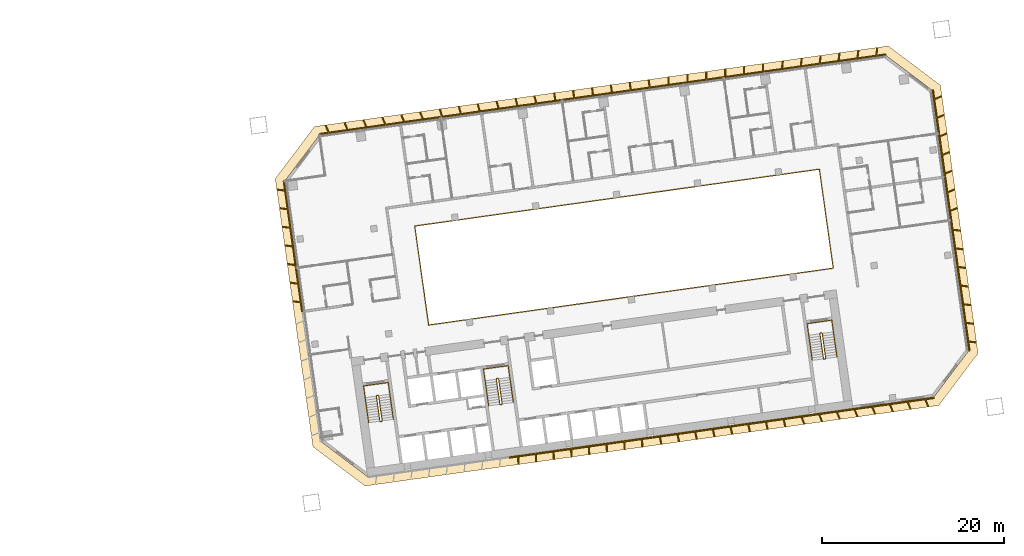
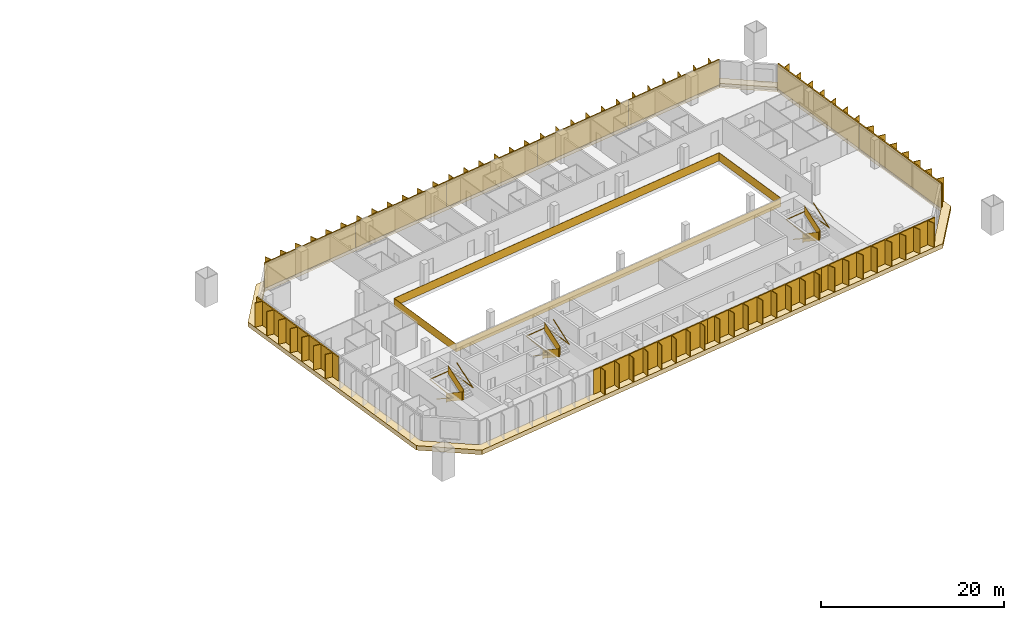
# One storey, part 25 of 25: 11 shading devices, 7 railings, 1 covering.
"""IFC4 building model written with IfcOpenShell, lengths in metres."""

from ifc_helpers import new_model, si_unit, direction, frame, origin, origin_2d, place, context, subcontext, project, spatial, polyline, rectangle, outline, extrude, material, layer, layer_set, type_object, element, save


model = new_model("IFC4")

# Units and contexts
model_context = context("Model", 3, precision=1e-05, world=origin(), true_north=direction((0.0, 1.0)))
body_context = subcontext(model_context, "Body", "Model", "MODEL_VIEW")
ifc_project = project(units=[si_unit("LENGTHUNIT", "METRE"), si_unit("AREAUNIT", "SQUARE_METRE"), si_unit("VOLUMEUNIT", "CUBIC_METRE"), si_unit("PLANEANGLEUNIT", "RADIAN"), si_unit("MASSUNIT", "GRAM", prefix="KILO")], contexts=[model_context])

# Site, building, storey
site_placement = place(None, origin())
site = spatial("IfcSite", under=ifc_project, at=site_placement, CompositionType="ELEMENT")
building_placement = place(site_placement, origin())
building = spatial("IfcBuilding", under=site, at=building_placement, Name="Mirante Cascada Hotel Towers", CompositionType="ELEMENT")
storey_placement = place(building_placement, frame((0.0, 0.0, 58.5)))
storey = spatial("IfcBuildingStorey", under=building, at=storey_placement, Name="L11", CompositionType="ELEMENT", Elevation=58.5)

# Railing
ifc_material_1 = material(Name="Toughened glass with stainless steel handrail", Category="steel")
railing_type_1 = type_object("IfcRailingType", Name="Atrium guard 1100 glass balustrade", PredefinedType="GUARDRAIL", material=ifc_material_1)
railing_1_placement = place(storey_placement, frame((43.8418, -3.4881, 0.0)))
element("IfcRailing", 1, at=railing_1_placement, inside=storey, type_object=railing_type_1, Name="GUARD 2-L11-1", PredefinedType="GUARDRAIL", context=body_context, shape_type="SweptSolid", body=[
    extrude(rectangle(XDim=0.048, YDim=0.048, at=origin_2d()), frame((0.0, 0.0, 1.076), z_axis=(0.9902681, 0.1391732, 0.0), x_axis=(-0.1391732, 0.9902681, 0.0)), (0.0, 0.0, 1.0), 45.0),
    extrude(rectangle(XDim=0.02, YDim=1.052, at=origin_2d()), frame((0.0, 0.0, 0.526), z_axis=(0.9902681, 0.1391732, 0.0), x_axis=(-0.1391732, 0.9902681, 0.0)), (0.0, 0.0, 1.0), 45.0),
    extrude(rectangle(XDim=0.048, YDim=0.048, at=origin_2d()), frame((44.5621, 6.2628, 1.076), z_axis=(-0.1391721, 0.9902682, 0.0), x_axis=(-0.9902682, -0.1391721, 0.0)), (0.0, 0.0, 1.0), 11.0001),
    extrude(rectangle(XDim=0.02, YDim=1.052, at=origin_2d()), frame((44.5621, 6.2628, 0.526), z_axis=(-0.1391721, 0.9902682, 0.0), x_axis=(-0.9902682, -0.1391721, 0.0)), (0.0, 0.0, 1.0), 11.0001),
    extrude(rectangle(XDim=0.048, YDim=0.048, at=origin_2d()), frame((43.0312, 17.1558, 1.076), z_axis=(-0.9902681, -0.1391732, 0.0), x_axis=(0.1391732, -0.9902681, 0.0)), (0.0, 0.0, 1.0), 45.0),
    extrude(rectangle(XDim=0.02, YDim=1.052, at=origin_2d()), frame((43.0312, 17.1558, 0.526), z_axis=(-0.9902681, -0.1391732, 0.0), x_axis=(0.1391732, -0.9902681, 0.0)), (0.0, 0.0, 1.0), 45.0),
    extrude(rectangle(XDim=0.048, YDim=0.048, at=origin_2d()), frame((-1.5309, 10.893, 1.076), z_axis=(0.1391721, -0.9902682, 0.0), x_axis=(0.9902682, 0.1391721, 0.0)), (0.0, 0.0, 1.0), 11.0001),
    extrude(rectangle(XDim=0.02, YDim=1.052, at=origin_2d()), frame((-1.5309, 10.893, 0.526), z_axis=(0.1391721, -0.9902682, 0.0), x_axis=(0.9902682, 0.1391721, 0.0)), (0.0, 0.0, 1.0), 11.0001),
])

# Covering
ifc_material_2 = material(Name="Precast concrete C40/50 white", Category="concrete")
ifc_layer = layer(ifc_material_2, 0.6)
ifc_layer_set = layer_set([ifc_layer], Name="Precast concrete SUNSHADE band 1000x600")
covering_type = type_object("IfcCoveringType", Name="Precast concrete SUNSHADE band 1000x600", PredefinedType="CLADDING", material=ifc_layer_set)
covering_placement = place(storey_placement, frame((0.0, 0.0, -0.45)))
element("IfcCovering", 2, at=covering_placement, inside=storey, type_object=covering_type, Name="Precast concrete SUNSHADE band T2 L11", PredefinedType="CLADDING", context=body_context, shape_type="SweptSolid", body=[
    extrude(outline(polyline([(26.9341, 12.6299), (31.2626, 18.374), (94.4698, 27.2572), (100.2139, 22.9287), (104.3652, -6.6094), (100.0367, -12.3535), (36.8295, -21.2367), (31.0854, -16.9082), (26.9341, 12.6299)]), holes=[polyline([(103.3173, -6.3384), (99.2813, 22.3794), (94.1988, 26.2093), (31.8119, 17.4414), (27.982, 12.3589), (32.018, -16.3589), (37.1005, -20.1888), (99.4874, -11.4209), (103.3173, -6.3384)])]), origin(), (0.0, 0.0, 1.0), 0.6),
])

# Railings
ifc_material_3 = material(Name="Painted steel", Category="steel")
railing_type_2 = type_object("IfcRailingType", Name="Stair guard 1100 steel balustrade", PredefinedType="GUARDRAIL", material=ifc_material_3)
railing_2_placement = place(storey_placement, frame((38.2663, -11.2395, 0.0)))
element("IfcRailing", 3, at=railing_2_placement, inside=storey, type_object=railing_type_2, Name="L11 ST2-A stair guard 1", PredefinedType="GUARDRAIL", context=body_context, shape_type="SweptSolid", body=[
    extrude(rectangle(XDim=0.048, YDim=0.048, at=origin_2d()), frame((0.0, 0.0, 1.076), z_axis=(-0.9903326, -0.1387133, 0.0), x_axis=(0.1387133, -0.9903326, 0.0)), (0.0, 0.0, 1.0), 0.1499),
    extrude(rectangle(XDim=0.02, YDim=1.052, at=origin_2d()), frame((0.0, 0.0, 0.526), z_axis=(-0.9903326, -0.1387133, 0.0), x_axis=(0.1387133, -0.9903326, 0.0)), (0.0, 0.0, 1.0), 0.1499),
    extrude(rectangle(XDim=0.048, YDim=0.048, at=origin_2d()), frame((-0.1485, -0.0208, 1.076), z_axis=(-0.6020331, -0.7984711, 0.0), x_axis=(0.7984711, -0.6020331, 0.0)), (0.0, 0.9253398, 0.3791387), 0.1866),
    extrude(rectangle(XDim=0.02, YDim=1.052, at=origin_2d()), frame((-0.1485, -0.0208, 0.526), z_axis=(-0.6020331, -0.7984711, 0.0), x_axis=(0.7984711, -0.6020331, 0.0)), (0.0, 0.9253398, 0.3791387), 0.1866),
    extrude(rectangle(XDim=0.048, YDim=0.048, at=origin_2d()), frame((-0.1911, -0.0773, 1.2487), z_axis=(0.139176, -0.9902677, 0.0), x_axis=(0.9902677, 0.139176, 0.0)), (0.0, 0.5250212, 0.8510891), 3.29),
    extrude(rectangle(XDim=0.02, YDim=1.052, at=origin_2d()), frame((-0.1911, -0.0773, 0.6987), z_axis=(0.139176, -0.9902677, 0.0), x_axis=(0.9902677, 0.139176, 0.0)), (0.0, 0.5250212, 0.8510891), 3.29),
    extrude(rectangle(XDim=0.048, YDim=0.048, at=origin_2d()), frame((0.1986, -2.8501, 2.976), z_axis=(0.9944948, -0.1047858, 0.0), x_axis=(0.1047858, 0.9944948, 0.0)), (0.0, 0.0, 1.0), 0.2061),
    extrude(rectangle(XDim=0.02, YDim=1.052, at=origin_2d()), frame((0.1986, -2.8501, 2.426), z_axis=(0.9944948, -0.1047858, 0.0), x_axis=(0.1047858, 0.9944948, 0.0)), (0.0, 0.0, 1.0), 0.2061),
    extrude(rectangle(XDim=0.048, YDim=0.048, at=origin_2d()), frame((0.4036, -2.8717, 2.976), z_axis=(-0.9902408, -0.1393672, 0.0), x_axis=(0.1393672, -0.9902408, 0.0)), (0.0, 0.0, 1.0), 0.15),
    extrude(rectangle(XDim=0.02, YDim=1.052, at=origin_2d()), frame((0.4036, -2.8717, 2.426), z_axis=(-0.9902408, -0.1393672, 0.0), x_axis=(0.1393672, -0.9902408, 0.0)), (0.0, 0.0, 1.0), 0.15),
    extrude(rectangle(XDim=0.048, YDim=0.048, at=origin_2d()), frame((0.2551, -2.8926, 2.976), z_axis=(0.9270311, 0.3749843, 0.0), x_axis=(-0.3749843, 0.9270311, 0.0)), (0.0, 0.6421903, 0.7665452), 0.2689),
    extrude(rectangle(XDim=0.02, YDim=1.052, at=origin_2d()), frame((0.2551, -2.8926, 2.426), z_axis=(0.9270311, 0.3749843, 0.0), x_axis=(-0.3749843, 0.9270311, 0.0)), (0.0, 0.6421903, 0.7665452), 0.2689),
    extrude(rectangle(XDim=0.048, YDim=0.048, at=origin_2d()), frame((0.4462, -2.8153, 3.1487), z_axis=(-0.139176, 0.9902677, 0.0), x_axis=(-0.9902677, -0.139176, 0.0)), (0.0, 0.5250212, 0.8510891), 3.29),
    extrude(rectangle(XDim=0.02, YDim=1.052, at=origin_2d()), frame((0.4462, -2.8153, 2.5987), z_axis=(-0.139176, 0.9902677, 0.0), x_axis=(-0.9902677, -0.139176, 0.0)), (0.0, 0.5250212, 0.8510891), 3.29),
])
railing_3_placement = place(storey_placement, frame((51.4864, -9.3815, 0.0)))
element("IfcRailing", 4, at=railing_3_placement, inside=storey, type_object=railing_type_2, Name="L11 ST2-B stair guard 1", PredefinedType="GUARDRAIL", context=body_context, shape_type="SweptSolid", body=[
    extrude(rectangle(XDim=0.048, YDim=0.048, at=origin_2d()), frame((0.0, 0.0, 1.076), z_axis=(-0.9902408, -0.1393672, 0.0), x_axis=(0.1393672, -0.9902408, 0.0)), (0.0, 0.0, 1.0), 0.15),
    extrude(rectangle(XDim=0.02, YDim=1.052, at=origin_2d()), frame((0.0, 0.0, 0.526), z_axis=(-0.9902408, -0.1393672, 0.0), x_axis=(0.1393672, -0.9902408, 0.0)), (0.0, 0.0, 1.0), 0.15),
    extrude(rectangle(XDim=0.048, YDim=0.048, at=origin_2d()), frame((-0.1485, -0.0209, 1.076), z_axis=(-0.6020331, -0.7984711, 0.0), x_axis=(0.7984711, -0.6020331, 0.0)), (0.0, 0.9253398, 0.3791387), 0.1866),
    extrude(rectangle(XDim=0.02, YDim=1.052, at=origin_2d()), frame((-0.1485, -0.0209, 0.526), z_axis=(-0.6020331, -0.7984711, 0.0), x_axis=(0.7984711, -0.6020331, 0.0)), (0.0, 0.9253398, 0.3791387), 0.1866),
    extrude(rectangle(XDim=0.048, YDim=0.048, at=origin_2d()), frame((-0.1911, -0.0774, 1.2487), z_axis=(0.139181, -0.990267, 0.0), x_axis=(0.990267, 0.139181, 0.0)), (0.0, 0.5250347, 0.8510808), 3.2899),
    extrude(rectangle(XDim=0.02, YDim=1.052, at=origin_2d()), frame((-0.1911, -0.0774, 0.6987), z_axis=(0.139181, -0.990267, 0.0), x_axis=(0.990267, 0.139181, 0.0)), (0.0, 0.5250347, 0.8510808), 3.2899),
    extrude(rectangle(XDim=0.048, YDim=0.048, at=origin_2d()), frame((0.1986, -2.8501, 2.976), z_axis=(0.9944441, -0.1052656, 0.0), x_axis=(0.1052656, 0.9944441, 0.0)), (0.0, 0.0, 1.0), 0.2061),
    extrude(rectangle(XDim=0.02, YDim=1.052, at=origin_2d()), frame((0.1986, -2.8501, 2.426), z_axis=(0.9944441, -0.1052656, 0.0), x_axis=(0.1052656, 0.9944441, 0.0)), (0.0, 0.0, 1.0), 0.2061),
    extrude(rectangle(XDim=0.048, YDim=0.048, at=origin_2d()), frame((0.4036, -2.8718, 2.976), z_axis=(-0.9902408, -0.1393672, 0.0), x_axis=(0.1393672, -0.9902408, 0.0)), (0.0, 0.0, 1.0), 0.15),
    extrude(rectangle(XDim=0.02, YDim=1.052, at=origin_2d()), frame((0.4036, -2.8718, 2.426), z_axis=(-0.9902408, -0.1393672, 0.0), x_axis=(0.1393672, -0.9902408, 0.0)), (0.0, 0.0, 1.0), 0.15),
    extrude(rectangle(XDim=0.048, YDim=0.048, at=origin_2d()), frame((0.2551, -2.8927, 2.976), z_axis=(0.9268624, 0.3754011, 0.0), x_axis=(-0.3754011, 0.9268624, 0.0)), (0.0, 0.6421217, 0.7666028), 0.269),
    extrude(rectangle(XDim=0.02, YDim=1.052, at=origin_2d()), frame((0.2551, -2.8927, 2.426), z_axis=(0.9268624, 0.3754011, 0.0), x_axis=(-0.3754011, 0.9268624, 0.0)), (0.0, 0.6421217, 0.7666028), 0.269),
    extrude(rectangle(XDim=0.048, YDim=0.048, at=origin_2d()), frame((0.4462, -2.8153, 3.1487), z_axis=(-0.139181, 0.990267, 0.0), x_axis=(-0.990267, -0.139181, 0.0)), (0.0, 0.5250347, 0.8510808), 3.2899),
    extrude(rectangle(XDim=0.02, YDim=1.052, at=origin_2d()), frame((0.4462, -2.8153, 2.5987), z_axis=(-0.139181, 0.990267, 0.0), x_axis=(-0.990267, -0.139181, 0.0)), (0.0, 0.5250347, 0.8510808), 3.2899),
])
railing_4_placement = place(storey_placement, frame((87.1361, -4.3713, 0.0)))
element("IfcRailing", 5, at=railing_4_placement, inside=storey, type_object=railing_type_2, Name="L11 ST2-C stair guard 1", PredefinedType="GUARDRAIL", context=body_context, shape_type="SweptSolid", body=[
    extrude(rectangle(XDim=0.048, YDim=0.048, at=origin_2d()), frame((0.0, 0.0, 1.076), z_axis=(-0.9902537, -0.1392753, 0.0), x_axis=(0.1392753, -0.9902537, 0.0)), (0.0, 0.0, 1.0), 0.1501),
    extrude(rectangle(XDim=0.02, YDim=1.052, at=origin_2d()), frame((0.0, 0.0, 0.526), z_axis=(-0.9902537, -0.1392753, 0.0), x_axis=(0.1392753, -0.9902537, 0.0)), (0.0, 0.0, 1.0), 0.1501),
    extrude(rectangle(XDim=0.048, YDim=0.048, at=origin_2d()), frame((-0.1486, -0.0209, 1.076), z_axis=(-0.601811, -0.7986386, 0.0), x_axis=(0.7986386, -0.601811, 0.0)), (0.0, 0.925603, 0.3784959), 0.1866),
    extrude(rectangle(XDim=0.02, YDim=1.052, at=origin_2d()), frame((-0.1486, -0.0209, 0.526), z_axis=(-0.601811, -0.7986386, 0.0), x_axis=(0.7986386, -0.601811, 0.0)), (0.0, 0.925603, 0.3784959), 0.1866),
    extrude(rectangle(XDim=0.048, YDim=0.048, at=origin_2d()), frame((-0.1911, -0.0773, 1.2487), z_axis=(0.139176, -0.9902677, 0.0), x_axis=(0.9902677, 0.139176, 0.0)), (0.0, 0.5250212, 0.8510891), 3.29),
    extrude(rectangle(XDim=0.02, YDim=1.052, at=origin_2d()), frame((-0.1911, -0.0773, 0.6987), z_axis=(0.139176, -0.9902677, 0.0), x_axis=(0.9902677, 0.139176, 0.0)), (0.0, 0.5250212, 0.8510891), 3.29),
    extrude(rectangle(XDim=0.048, YDim=0.048, at=origin_2d()), frame((0.1986, -2.8501, 2.976), z_axis=(0.9944441, -0.1052656, 0.0), x_axis=(0.1052656, 0.9944441, 0.0)), (0.0, 0.0, 1.0), 0.2061),
    extrude(rectangle(XDim=0.02, YDim=1.052, at=origin_2d()), frame((0.1986, -2.8501, 2.426), z_axis=(0.9944441, -0.1052656, 0.0), x_axis=(0.1052656, 0.9944441, 0.0)), (0.0, 0.0, 1.0), 0.2061),
    extrude(rectangle(XDim=0.048, YDim=0.048, at=origin_2d()), frame((0.4036, -2.8718, 2.976), z_axis=(-0.9903454, -0.1386217, 0.0), x_axis=(0.1386217, -0.9903454, 0.0)), (0.0, 0.0, 1.0), 0.15),
    extrude(rectangle(XDim=0.02, YDim=1.052, at=origin_2d()), frame((0.4036, -2.8718, 2.426), z_axis=(-0.9903454, -0.1386217, 0.0), x_axis=(0.1386217, -0.9903454, 0.0)), (0.0, 0.0, 1.0), 0.15),
    extrude(rectangle(XDim=0.048, YDim=0.048, at=origin_2d()), frame((0.255, -2.8926, 2.976), z_axis=(0.9270311, 0.3749843, 0.0), x_axis=(-0.3749843, 0.9270311, 0.0)), (0.0, 0.6421903, 0.7665452), 0.2689),
    extrude(rectangle(XDim=0.02, YDim=1.052, at=origin_2d()), frame((0.255, -2.8926, 2.426), z_axis=(0.9270311, 0.3749843, 0.0), x_axis=(-0.3749843, 0.9270311, 0.0)), (0.0, 0.6421903, 0.7665452), 0.2689),
    extrude(rectangle(XDim=0.048, YDim=0.048, at=origin_2d()), frame((0.4461, -2.8153, 3.1487), z_axis=(-0.139176, 0.9902677, 0.0), x_axis=(-0.9902677, -0.139176, 0.0)), (0.0, 0.5250212, 0.8510891), 3.29),
    extrude(rectangle(XDim=0.02, YDim=1.052, at=origin_2d()), frame((0.4461, -2.8153, 2.5987), z_axis=(-0.139176, 0.9902677, 0.0), x_axis=(-0.9902677, -0.139176, 0.0)), (0.0, 0.5250212, 0.8510891), 3.29),
])
ifc_material_4 = material(Name="Painted steel", Category="steel")
railing_type_3 = type_object("IfcRailingType", Name="Stair handrail 900 steel tube", PredefinedType="HANDRAIL", material=ifc_material_4)
railing_5_placement = place(storey_placement, frame((36.8374, -11.4908, 0.1727)))
element("IfcRailing", 6, at=railing_5_placement, inside=storey, type_object=railing_type_3, Name="L11 ST2-A stair handrail 1", PredefinedType="HANDRAIL", context=body_context, shape_type="SweptSolid", body=[
    extrude(rectangle(XDim=0.048, YDim=0.048, at=origin_2d()), frame((0.0, 0.0, 0.876), z_axis=(0.139181, -0.990267, 0.0), x_axis=(0.990267, 0.139181, 0.0)), (0.0, 0.5250347, 0.8510808), 3.2899),
    extrude(rectangle(XDim=0.048, YDim=0.048, at=origin_2d()), frame((0.3897, -2.7727, 2.6033), z_axis=(-0.1391707, 0.9902684, 0.0), x_axis=(-0.9902684, -0.1391707, 0.0)), (0.0, 0.0420846, 0.999114), 4.1036),
    extrude(rectangle(XDim=0.048, YDim=0.048, at=origin_2d()), frame((-0.1809, 1.2874, 2.776), z_axis=(0.9902691, 0.1391657, 0.0), x_axis=(-0.1391657, 0.9902691, 0.0)), (0.0, 0.0, 1.0), 2.75),
    extrude(rectangle(XDim=0.048, YDim=0.048, at=origin_2d()), frame((2.5423, 1.6701, 2.776), z_axis=(0.1391707, -0.9902684, 0.0), x_axis=(0.9902684, 0.1391707, 0.0)), (0.0, 0.0, 1.0), 4.1),
    extrude(rectangle(XDim=0.048, YDim=0.048, at=origin_2d()), frame((3.1129, -2.39, 2.776), z_axis=(-0.139181, 0.990267, 0.0), x_axis=(-0.990267, -0.139181, 0.0)), (0.0, 0.5250347, 0.8510808), 3.2899),
])
railing_6_placement = place(storey_placement, frame((50.0575, -9.6328, 0.1727)))
element("IfcRailing", 7, at=railing_6_placement, inside=storey, type_object=railing_type_3, Name="L11 ST2-B stair handrail 1", PredefinedType="HANDRAIL", context=body_context, shape_type="SweptSolid", body=[
    extrude(rectangle(XDim=0.048, YDim=0.048, at=origin_2d()), frame((0.0, 0.0, 0.876), z_axis=(0.139176, -0.9902677, 0.0), x_axis=(0.9902677, 0.139176, 0.0)), (0.0, 0.5250212, 0.8510891), 3.29),
    extrude(rectangle(XDim=0.048, YDim=0.048, at=origin_2d()), frame((0.3897, -2.7728, 2.6033), z_axis=(-0.1391707, 0.9902684, 0.0), x_axis=(-0.9902684, -0.1391707, 0.0)), (0.0, 0.0420846, 0.999114), 4.1036),
    extrude(rectangle(XDim=0.048, YDim=0.048, at=origin_2d()), frame((-0.1809, 1.2873, 2.776), z_axis=(0.9902641, 0.1392013, 0.0), x_axis=(-0.1392013, 0.9902641, 0.0)), (0.0, 0.0, 1.0), 2.75),
    extrude(rectangle(XDim=0.048, YDim=0.048, at=origin_2d()), frame((2.5423, 1.6701, 2.776), z_axis=(0.1391707, -0.9902684, 0.0), x_axis=(0.9902684, 0.1391707, 0.0)), (0.0, 0.0, 1.0), 4.1),
    extrude(rectangle(XDim=0.048, YDim=0.048, at=origin_2d()), frame((3.1129, -2.39, 2.776), z_axis=(-0.139181, 0.990267, 0.0), x_axis=(-0.990267, -0.139181, 0.0)), (0.0, 0.5250347, 0.8510808), 3.2899),
])
railing_7_placement = place(storey_placement, frame((85.7071, -4.6226, 0.1727)))
element("IfcRailing", 8, at=railing_7_placement, inside=storey, type_object=railing_type_3, Name="L11 ST2-C stair handrail 1", PredefinedType="HANDRAIL", context=body_context, shape_type="SweptSolid", body=[
    extrude(rectangle(XDim=0.048, YDim=0.048, at=origin_2d()), frame((0.0, 0.0, 0.876), z_axis=(0.139181, -0.990267, 0.0), x_axis=(0.990267, 0.139181, 0.0)), (0.0, 0.5250347, 0.8510808), 3.2899),
    extrude(rectangle(XDim=0.048, YDim=0.048, at=origin_2d()), frame((0.3897, -2.7727, 2.6033), z_axis=(-0.1391707, 0.9902684, 0.0), x_axis=(-0.9902684, -0.1391707, 0.0)), (0.0, 0.0420846, 0.999114), 4.1036),
    extrude(rectangle(XDim=0.048, YDim=0.048, at=origin_2d()), frame((-0.1809, 1.2874, 2.776), z_axis=(0.9902691, 0.1391657, 0.0), x_axis=(-0.1391657, 0.9902691, 0.0)), (0.0, 0.0, 1.0), 2.75),
    extrude(rectangle(XDim=0.048, YDim=0.048, at=origin_2d()), frame((2.5423, 1.6701, 2.776), z_axis=(0.1391947, -0.990265, 0.0), x_axis=(0.990265, 0.1391947, 0.0)), (0.0, 0.0, 1.0), 4.1),
    extrude(rectangle(XDim=0.048, YDim=0.048, at=origin_2d()), frame((3.113, -2.39, 2.776), z_axis=(-0.139181, 0.990267, 0.0), x_axis=(-0.990267, -0.139181, 0.0)), (0.0, 0.5250347, 0.8510808), 3.2899),
])

# Shading devices
ifc_material_5 = material(Name="White precast concrete C50/60 fin", Category="concrete")
shading_device_type = type_object("IfcShadingDeviceType", Name="Vertical fin set 4500x900", PredefinedType="USERDEFINED", material=ifc_material_5)
shading_device_1_placement = place(storey_placement, origin())
element("IfcShadingDevice", 9, at=shading_device_1_placement, inside=storey, type_object=shading_device_type, Name="FIN T2 L11 front 1", ObjectType="FIN", PredefinedType="USERDEFINED", context=body_context, shape_type="SweptSolid", body=[
    extrude(outline(polyline([(82.8967, 25.5893), (82.7946, 24.758), (84.7922, 25.0387), (84.8968, 25.8913), (84.9762, 25.8815), (84.8742, 25.0503), (86.8717, 25.331), (86.9764, 26.1835), (87.0558, 26.1738), (86.9537, 25.3425), (88.9513, 25.6233), (89.056, 26.4758), (89.1354, 26.4661), (89.0333, 25.6348), (91.0308, 25.9155), (91.1355, 26.7681), (91.2149, 26.7583), (91.1129, 25.9271), (93.1104, 26.2078), (93.2151, 27.0603), (93.2945, 27.0506), (93.1924, 26.2193), (94.1779, 26.3578), (94.1988, 26.2093), (81.7214, 24.4557), (81.7006, 24.6042), (82.7126, 24.7465), (82.8173, 25.599), (82.8967, 25.5893)])), origin(), (0.0, 0.0, 1.0), 3.35),
])
shading_device_2_placement = place(storey_placement, origin())
element("IfcShadingDevice", 10, at=shading_device_2_placement, inside=storey, type_object=shading_device_type, Name="FIN T2 L11 front 2", ObjectType="FIN", PredefinedType="USERDEFINED", context=body_context, shape_type="SweptSolid", body=[
    extrude(outline(polyline([(70.3021, 23.8476), (70.3094, 23.0033), (72.3091, 23.2844), (72.3016, 24.1392), (72.3816, 24.1399), (72.389, 23.2956), (74.3886, 23.5766), (74.3812, 24.4314), (74.4612, 24.4321), (74.4686, 23.5878), (76.4682, 23.8689), (76.4608, 24.7237), (76.5407, 24.7244), (76.5481, 23.8801), (78.5478, 24.1611), (78.5403, 25.0159), (78.6203, 25.0166), (78.6277, 24.1724), (80.6273, 24.4534), (80.6199, 25.3082), (80.6999, 25.3089), (80.7072, 24.4646), (81.7006, 24.6042), (81.7214, 24.4557), (69.2441, 22.7021), (69.2232, 22.8507), (70.2295, 22.9921), (70.2221, 23.8469), (70.3021, 23.8476)])), origin(), (0.0, 0.0, 1.0), 3.35),
])
shading_device_3_placement = place(storey_placement, origin())
element("IfcShadingDevice", 11, at=shading_device_3_placement, inside=storey, type_object=shading_device_type, Name="FIN T2 L11 front 3", ObjectType="FIN", PredefinedType="USERDEFINED", context=body_context, shape_type="SweptSolid", body=[
    extrude(outline(polyline([(57.7069, 22.0905), (57.8252, 21.2488), (59.8255, 21.5299), (59.7072, 22.3716), (59.7865, 22.3828), (59.9048, 21.541), (61.9051, 21.8222), (61.7868, 22.6639), (61.866, 22.675), (61.9843, 21.8333), (63.9847, 22.1144), (63.8664, 22.9562), (63.9456, 22.9673), (64.0639, 22.1256), (66.0642, 22.4067), (65.9459, 23.2484), (66.0251, 23.2596), (66.1434, 22.4178), (68.1438, 22.699), (68.0255, 23.5407), (68.1047, 23.5518), (68.223, 22.7101), (69.2232, 22.8507), (69.2441, 22.7021), (56.7667, 20.9485), (56.7458, 21.0971), (57.746, 21.2376), (57.6277, 22.0794), (57.7069, 22.0905)])), origin(), (0.0, 0.0, 1.0), 3.35),
])
shading_device_4_placement = place(storey_placement, origin())
element("IfcShadingDevice", 12, at=shading_device_4_placement, inside=storey, type_object=shading_device_type, Name="FIN T2 L11 front 4", ObjectType="FIN", PredefinedType="USERDEFINED", context=body_context, shape_type="SweptSolid", body=[
    extrude(outline(polyline([(45.1132, 20.3181), (45.3416, 19.4943), (47.3413, 19.7754), (47.1157, 20.589), (47.1928, 20.6103), (47.4212, 19.7866), (49.4209, 20.0676), (49.1952, 20.8812), (49.2723, 20.9026), (49.5008, 20.0789), (51.5004, 20.3599), (51.2748, 21.1735), (51.3519, 21.1949), (51.5803, 20.3711), (53.58, 20.6521), (53.3544, 21.4657), (53.4314, 21.4871), (53.6599, 20.6634), (55.6595, 20.9444), (55.4339, 21.758), (55.511, 21.7794), (55.7394, 20.9556), (56.7458, 21.0971), (56.7667, 20.9485), (44.2893, 19.195), (44.2684, 19.3435), (45.2617, 19.4831), (45.0361, 20.2967), (45.1132, 20.3181)])), origin(), (0.0, 0.0, 1.0), 3.35),
])
shading_device_5_placement = place(storey_placement, origin())
element("IfcShadingDevice", 13, at=shading_device_5_placement, inside=storey, type_object=shading_device_type, Name="FIN T2 L11 front 5", ObjectType="FIN", PredefinedType="USERDEFINED", context=body_context, shape_type="SweptSolid", body=[
    extrude(outline(polyline([(32.5229, 18.5306), (32.8586, 17.7399), (34.8561, 18.0207), (34.5289, 18.7916), (34.6025, 18.8229), (34.9381, 18.0322), (36.9357, 18.3129), (36.6084, 19.0839), (36.6821, 19.1151), (37.0177, 18.3245), (39.0152, 18.6052), (38.688, 19.3761), (38.7616, 19.4074), (39.0973, 18.6167), (41.0948, 18.8975), (40.7676, 19.6684), (40.8412, 19.6997), (41.1768, 18.909), (43.1744, 19.1897), (42.8471, 19.9607), (42.9208, 19.9919), (43.2564, 19.2013), (44.2684, 19.3435), (44.2893, 19.195), (31.8119, 17.4414), (31.791, 17.5899), (32.7765, 17.7284), (32.4493, 18.4994), (32.5229, 18.5306)])), origin(), (0.0, 0.0, 1.0), 3.35),
])
shading_device_6_placement = place(storey_placement, origin())
element("IfcShadingDevice", 14, at=shading_device_6_placement, inside=storey, type_object=shading_device_type, Name="FIN T2 L11 inner 1", ObjectType="FIN", PredefinedType="USERDEFINED", context=body_context, shape_type="SweptSolid", body=[
    extrude(outline(polyline([(28.8684, -0.8389), (29.6997, -0.941), (29.4229, 1.0283), (28.5704, 1.133), (28.5801, 1.2124), (29.4114, 1.1103), (29.1346, 3.0796), (28.2821, 3.1842), (28.2918, 3.2636), (29.1231, 3.1616), (28.8464, 5.1308), (27.9938, 5.2355), (28.0036, 5.3149), (28.8348, 5.2128), (28.5581, 7.1821), (27.7055, 7.2868), (27.7153, 7.3662), (28.5465, 7.2641), (28.2698, 9.2334), (27.4172, 9.338), (27.427, 9.4174), (28.2583, 9.3154), (27.9815, 11.2846), (27.1289, 11.3893), (27.1387, 11.4687), (27.97, 11.3667), (27.8334, 12.338), (27.982, 12.3589), (30.0, -2.0), (29.8515, -2.0209), (29.7112, -1.023), (28.8587, -0.9183), (28.8684, -0.8389)])), origin(), (0.0, 0.0, 1.0), 3.35),
])
shading_device_7_placement = place(storey_placement, origin())
element("IfcShadingDevice", 15, at=shading_device_7_placement, inside=storey, type_object=shading_device_type, Name="FIN T2 L11 outer 1", ObjectType="FIN", PredefinedType="USERDEFINED", context=body_context, shape_type="SweptSolid", body=[
    extrude(outline(polyline([(104.1606, -5.4483), (103.3293, -5.3462), (103.4659, -6.3175), (103.3173, -6.3384), (101.2993, 8.0205), (101.4478, 8.0413), (101.5881, 7.0434), (102.4406, 6.9388), (102.4309, 6.8594), (101.5996, 6.9614), (101.8764, 4.9922), (102.7289, 4.8875), (102.7192, 4.8081), (101.8879, 4.9102), (102.1647, 2.9409), (103.0172, 2.8362), (103.0075, 2.7568), (102.1762, 2.8589), (102.4529, 0.8896), (103.3055, 0.785), (103.2957, 0.7056), (102.4645, 0.8076), (102.7412, -1.1616), (103.5938, -1.2663), (103.584, -1.3457), (102.7528, -1.2436), (103.0295, -3.2129), (103.8821, -3.3176), (103.8723, -3.397), (103.041, -3.2949), (103.3178, -5.2642), (104.1704, -5.3689), (104.1606, -5.4483)])), origin(), (0.0, 0.0, 1.0), 3.35),
])
shading_device_8_placement = place(storey_placement, origin())
element("IfcShadingDevice", 16, at=shading_device_8_placement, inside=storey, type_object=shading_device_type, Name="FIN T2 L11 outer 2", ObjectType="FIN", PredefinedType="USERDEFINED", context=body_context, shape_type="SweptSolid", body=[
    extrude(outline(polyline([(102.0983, 9.3749), (101.3076, 9.0392), (101.4478, 8.0413), (101.2993, 8.0205), (99.2813, 22.3794), (99.4298, 22.4002), (99.5663, 21.4289), (100.3373, 21.7561), (100.3685, 21.6825), (99.5779, 21.3469), (99.8546, 19.3776), (100.6256, 19.7048), (100.6568, 19.6312), (99.8662, 19.2956), (100.1429, 17.3263), (100.9139, 17.6536), (100.9451, 17.5799), (100.1544, 17.2443), (100.4312, 15.2751), (101.2021, 15.6023), (101.2334, 15.5287), (100.4427, 15.193), (100.7195, 13.2238), (101.4904, 13.551), (101.5217, 13.4774), (100.731, 13.1418), (101.0078, 11.1725), (101.7787, 11.4998), (101.81, 11.4261), (101.0193, 11.0905), (101.2961, 9.1212), (102.067, 9.4485), (102.0983, 9.3749)])), origin(), (0.0, 0.0, 1.0), 3.35),
])
shading_device_9_placement = place(storey_placement, origin())
element("IfcShadingDevice", 17, at=shading_device_9_placement, inside=storey, type_object=shading_device_type, Name="FIN T2 L11 rear 2", ObjectType="FIN", PredefinedType="USERDEFINED", context=body_context, shape_type="SweptSolid", body=[
    extrude(outline(polyline([(53.6931, -18.8597), (53.6488, -18.0146), (52.7181, -18.1454), (52.6972, -17.9968), (68.2939, -15.8049), (68.3148, -15.9534), (67.3755, -16.0854), (67.4201, -16.9376), (67.3402, -16.9417), (67.2959, -16.0966), (65.4259, -16.3594), (65.4705, -17.2116), (65.3906, -17.2157), (65.3463, -16.3706), (63.4763, -16.6334), (63.5209, -17.4856), (63.441, -17.4897), (63.3967, -16.6446), (61.5267, -16.9074), (61.5713, -17.7596), (61.4914, -17.7637), (61.4472, -16.9186), (59.5771, -17.1814), (59.6217, -18.0335), (59.5419, -18.0377), (59.4976, -17.1926), (57.6275, -17.4554), (57.6722, -18.3075), (57.5923, -18.3117), (57.548, -17.4666), (55.6779, -17.7294), (55.7226, -18.5815), (55.6427, -18.5857), (55.5984, -17.7406), (53.7283, -18.0034), (53.773, -18.8555), (53.6931, -18.8597)])), origin(), (0.0, 0.0, 1.0), 3.35),
])
shading_device_10_placement = place(storey_placement, origin())
element("IfcShadingDevice", 18, at=shading_device_10_placement, inside=storey, type_object=shading_device_type, Name="FIN T2 L11 rear 3", ObjectType="FIN", PredefinedType="USERDEFINED", context=body_context, shape_type="SweptSolid", body=[
    extrude(outline(polyline([(69.4461, -16.6528), (69.2542, -15.8214), (68.3148, -15.9534), (68.2939, -15.8049), (83.8907, -13.6129), (83.9115, -13.7614), (82.9808, -13.8922), (83.1712, -14.7168), (83.0933, -14.7348), (82.9013, -13.9034), (81.0312, -14.1662), (81.2216, -14.9908), (81.1437, -15.0088), (80.9517, -14.1774), (79.0817, -14.4402), (79.272, -15.2648), (79.1941, -15.2828), (79.0021, -14.4514), (77.1321, -14.7142), (77.3224, -15.5388), (77.2445, -15.5568), (77.0525, -14.7254), (75.1825, -14.9882), (75.3729, -15.8128), (75.2949, -15.8308), (75.103, -14.9994), (73.2329, -15.2622), (73.4233, -16.0868), (73.3453, -16.1048), (73.1534, -15.2734), (71.2833, -15.5362), (71.4737, -16.3608), (71.3957, -16.3788), (71.2038, -15.5474), (69.3337, -15.8102), (69.5241, -16.6348), (69.4461, -16.6528)])), origin(), (0.0, 0.0, 1.0), 3.35),
])
shading_device_11_placement = place(storey_placement, origin())
element("IfcShadingDevice", 19, at=shading_device_11_placement, inside=storey, type_object=shading_device_type, Name="FIN T2 L11 rear 4", ObjectType="FIN", PredefinedType="USERDEFINED", context=body_context, shape_type="SweptSolid", body=[
    extrude(outline(polyline([(85.1942, -14.419), (84.8586, -13.6283), (83.9115, -13.7614), (83.8907, -13.6129), (99.4874, -11.4209), (99.5083, -11.5694), (98.5877, -11.6988), (98.915, -12.4698), (98.8413, -12.501), (98.5057, -11.7103), (96.6381, -11.9728), (96.9654, -12.7438), (96.8918, -12.775), (96.5561, -11.9843), (94.6886, -12.2468), (95.0158, -13.0178), (94.9422, -13.049), (94.6065, -12.2583), (92.739, -12.5208), (93.0662, -13.2918), (92.9926, -13.323), (92.657, -12.5323), (90.7894, -12.7948), (91.1166, -13.5657), (91.043, -13.597), (90.7074, -12.8063), (88.8398, -13.0688), (89.167, -13.8397), (89.0934, -13.871), (88.7578, -13.0803), (86.8902, -13.3428), (87.2174, -14.1137), (87.1438, -14.145), (86.8082, -13.3543), (84.9406, -13.6168), (85.2679, -14.3877), (85.1942, -14.419)])), origin(), (0.0, 0.0, 1.0), 3.35),
])

save(model, "model.ifc")
